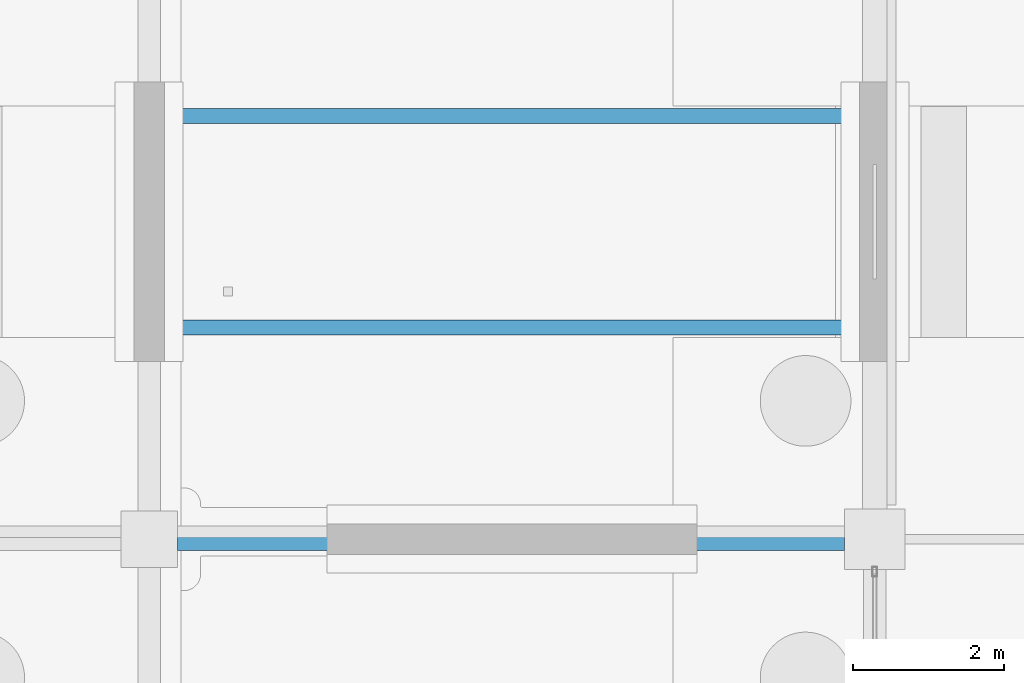
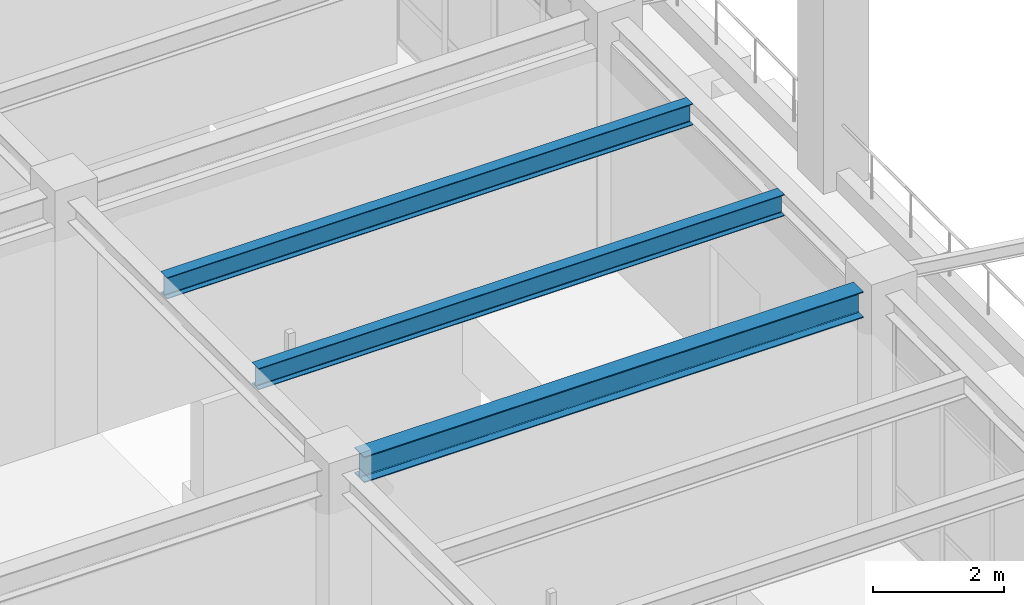
# One storey, part 54 of 111: 3 beams.
"""IFC4 building model written with IfcOpenShell, lengths in metres."""

from ifc_helpers import new_model, si_unit, direction, frame, origin, origin_2d, place, context, subcontext, project, spatial, i_section, extrude, material, material_profile, profile_set, type_object, element, save


model = new_model("IFC4")

# Units and contexts
model_context = context("Model", 3, precision=1e-05, world=origin(), true_north=direction((0.0, 1.0)))
body_context = subcontext(model_context, "Body", "Model", "MODEL_VIEW")
ifc_project = project(units=[si_unit("LENGTHUNIT", "METRE"), si_unit("AREAUNIT", "SQUARE_METRE"), si_unit("VOLUMEUNIT", "CUBIC_METRE"), si_unit("PLANEANGLEUNIT", "RADIAN"), si_unit("MASSUNIT", "GRAM", prefix="KILO")], contexts=[model_context])

# Site, building, storey
site_placement = place(None, origin())
site = spatial("IfcSite", under=ifc_project, at=site_placement, CompositionType="ELEMENT")
building_placement = place(site_placement, origin())
building = spatial("IfcBuilding", under=site, at=building_placement, Name="Canglan Escarpment Cableway Terminal", CompositionType="ELEMENT")
storey_placement = place(building_placement, frame((0.0, 0.0, 4.800048828125)))
storey = spatial("IfcBuildingStorey", under=building, at=storey_placement, Name="L01", CompositionType="ELEMENT", Elevation=4.800048828125)

# Beams
ifc_material = material(Name="Steel Q355B", Category="steel")
ifc_material_profile_1 = material_profile(ifc_material, i_section(OverallWidth=0.300048828125, OverallDepth=0.488037109375, WebThickness=0.010986328125, FlangeThickness=0.01806640625, FilletRadius=0.02587890625, at=origin_2d()), Name="HM 488x300x11x18")
ifc_profile_set_1 = profile_set([ifc_material_profile_1], Name="Steel Q355B")
beam_type_1 = type_object("IfcBeamType", Name="BM-HM488", PredefinedType="BEAM", material=ifc_profile_set_1)
beam_placement = place(storey_placement, frame((166.77490234375, 16.39990234375, 4.285888671875), z_axis=(1.0, 0.0, 0.0), x_axis=(0.0, 1.0, 0.0)))
element("IfcBeam", 1, at=beam_placement, inside=storey, type_object=beam_type_1, Name="Primary structural girder B-09", PredefinedType="BEAM", context=body_context, shape_type="SweptSolid", body=[
    extrude(i_section(OverallWidth=0.300048828125, OverallDepth=0.488037109375, WebThickness=0.010986328125, FlangeThickness=0.01806640625, FilletRadius=0.02587890625, at=origin_2d()), origin(), (0.0, 0.0, 1.0), 8.8251953125),
])
ifc_material_profile_2 = material_profile(ifc_material, i_section(OverallWidth=0.199951171875, OverallDepth=0.39990234375, WebThickness=0.008056640625, FlangeThickness=0.012939453125, FilletRadius=0.01611328125, at=origin_2d()), Name="HN 400x200x8x13")
ifc_profile_set_2 = profile_set([ifc_material_profile_2], Name="Steel Q355B")
beam_type_2 = type_object("IfcBeamType", Name="JS-HN400", PredefinedType="JOIST", material=ifc_profile_set_2)
for number, where, z_axis, x_axis, name in (
    (2, (166.550048828125, 19.199951171875, 4.329833984375), (1.0, 0.0, 0.0), (0.0, 1.0, 0.0), "Secondary composite deck joist J-03"),
    (3, (166.550048828125, 22.0, 4.329833984375), (1.0, 0.0, 0.0), (0.0, 1.0, 0.0), "Secondary composite deck joist J-03"),
):
    element("IfcBeam", number, at=place(storey_placement, frame(where, z_axis=z_axis, x_axis=x_axis)), inside=storey, type_object=beam_type_2, Name=name, PredefinedType="JOIST", context=body_context, shape_type="SweptSolid", body=[
        extrude(i_section(OverallWidth=0.199951171875, OverallDepth=0.39990234375, WebThickness=0.008056640625, FlangeThickness=0.012939453125, FilletRadius=0.01611328125, at=origin_2d()), origin(), (0.0, 0.0, 1.0), 9.300048828125),
    ])

save(model, "model.ifc")
